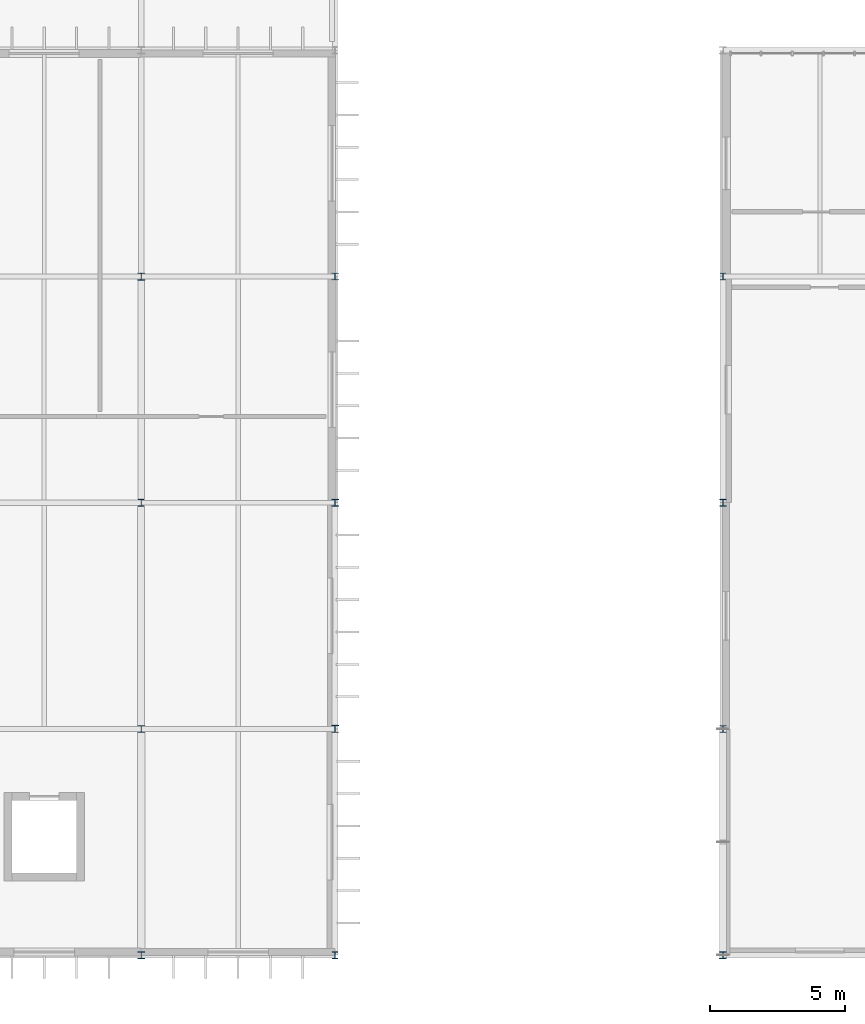
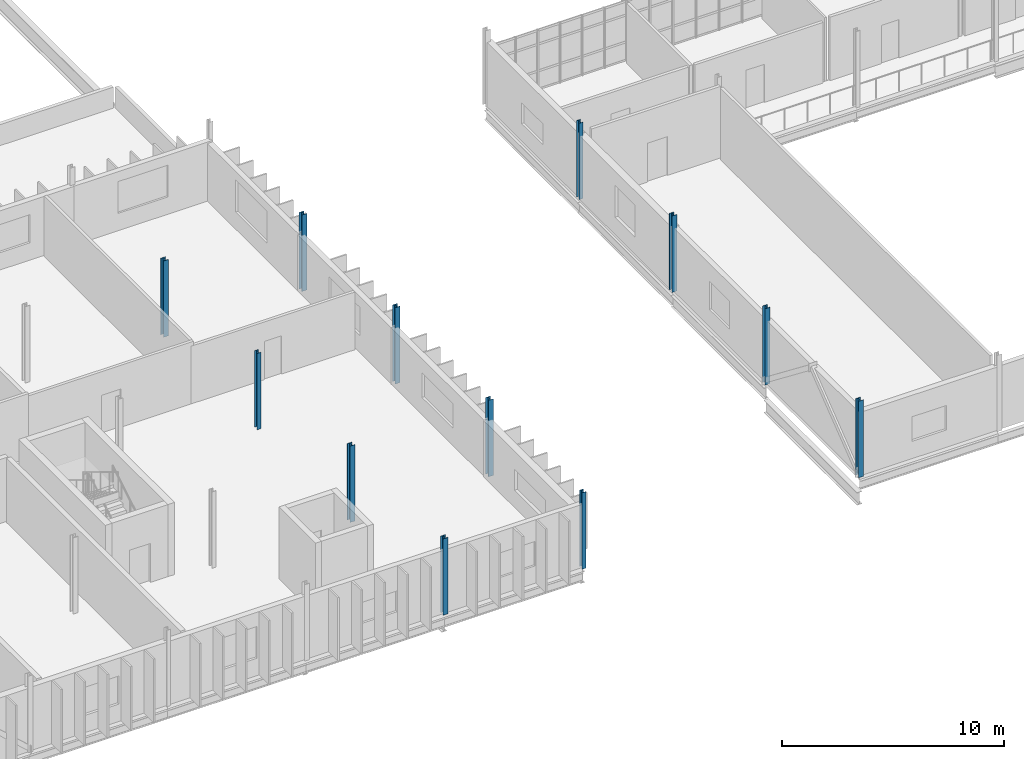
# One storey, part 3 of 119: 12 columns.
"""IFC4 building model written with IfcOpenShell, lengths in metres."""

from ifc_helpers import new_model, si_unit, direction, frame, origin, origin_2d, place, context, subcontext, project, spatial, i_section, extrude, material, material_profile, profile_set, type_object, element, save


model = new_model("IFC4")

# Units and contexts
model_context = context("Model", 3, precision=1e-05, world=origin(), true_north=direction((0.0, 1.0)))
body_context = subcontext(model_context, "Body", "Model", "MODEL_VIEW")
ifc_project = project(units=[si_unit("LENGTHUNIT", "METRE"), si_unit("AREAUNIT", "SQUARE_METRE"), si_unit("VOLUMEUNIT", "CUBIC_METRE"), si_unit("PLANEANGLEUNIT", "RADIAN"), si_unit("MASSUNIT", "GRAM", prefix="KILO")], contexts=[model_context])

# Site, building, storey
site_placement = place(None, origin())
site = spatial("IfcSite", under=ifc_project, at=site_placement, CompositionType="ELEMENT")
building_placement = place(site_placement, origin())
building = spatial("IfcBuilding", under=site, at=building_placement, Name="Qelthora Terrace Specialist Clinic", CompositionType="ELEMENT")
storey_placement = place(building_placement, frame((0.0, 0.0, 4.800048828125)))
storey = spatial("IfcBuildingStorey", under=building, at=storey_placement, Name="L01", CompositionType="ELEMENT", Elevation=4.800048828125)

# Columns
ifc_material = material(Name="Steel S355", Category="steel")
ifc_material_profile_1 = material_profile(ifc_material, i_section(OverallWidth=0.2041015625, OverallDepth=0.257080078125, WebThickness=0.0087890625, FlangeThickness=0.015625, FilletRadius=0.012939453125, at=origin_2d()), Name="W250X67")
ifc_profile_set_1 = profile_set([ifc_material_profile_1], Name="Steel S355")
column_type_1 = type_object("IfcColumnType", Name="COL-W250X67", PredefinedType="COLUMN", material=ifc_profile_set_1)
for number, where, z_axis, x_axis, name in (
    (1, (36.0, 16.800048828125, 0.0), (0.0, 0.0, 1.0), (1.0, 0.0, 0.0), "Column L01-067"),
    (2, (43.199951171875, 0.0, 0.0), (0.0, 0.0, 1.0), (1.0, 0.0, 0.0), "Column L01-079"),
    (3, (57.60009765625, 25.199951171875, 0.0), (0.0, 0.0, 1.0), (1.0, 0.0, 0.0), "Column L01-107"),
):
    element("IfcColumn", number, at=place(storey_placement, frame(where, z_axis=z_axis, x_axis=x_axis)), inside=storey, type_object=column_type_1, Name=name, PredefinedType="COLUMN", context=body_context, shape_type="SweptSolid", body=[
        extrude(i_section(OverallWidth=0.2041015625, OverallDepth=0.257080078125, WebThickness=0.0087890625, FlangeThickness=0.015625, FilletRadius=0.012939453125, at=origin_2d()), origin(), (0.0, 0.0, 1.0), 4.199951171875),
    ])
ifc_material_profile_2 = material_profile(ifc_material, i_section(OverallWidth=0.25390625, OverallDepth=0.2529296875, WebThickness=0.008544921875, FlangeThickness=0.01416015625, FilletRadius=0.012939453125, at=origin_2d()), Name="W250X73")
ifc_profile_set_2 = profile_set([ifc_material_profile_2], Name="Steel S355")
column_type_2 = type_object("IfcColumnType", Name="COL-W250X73", PredefinedType="COLUMN", material=ifc_profile_set_2)
for number, where, z_axis, x_axis, name in (
    (4, (36.0, 8.39990234375, 0.0), (0.0, 0.0, 1.0), (1.0, 0.0, 0.0), "Column L01-066"),
    (5, (43.199951171875, 25.199951171875, 0.0), (0.0, 0.0, 1.0), (1.0, 0.0, 0.0), "Column L01-082"),
    (6, (57.60009765625, 16.800048828125, 0.0), (0.0, 0.0, 1.0), (1.0, 0.0, 0.0), "Column L01-106"),
):
    element("IfcColumn", number, at=place(storey_placement, frame(where, z_axis=z_axis, x_axis=x_axis)), inside=storey, type_object=column_type_2, Name=name, PredefinedType="COLUMN", context=body_context, shape_type="SweptSolid", body=[
        extrude(i_section(OverallWidth=0.25390625, OverallDepth=0.2529296875, WebThickness=0.008544921875, FlangeThickness=0.01416015625, FilletRadius=0.012939453125, at=origin_2d()), origin(), (0.0, 0.0, 1.0), 4.199951171875),
    ])
ifc_material_profile_3 = material_profile(ifc_material, i_section(OverallWidth=0.2548828125, OverallDepth=0.256103515625, WebThickness=0.009521484375, FlangeThickness=0.015625, FilletRadius=0.012939453125, at=origin_2d()), Name="W250X80")
ifc_profile_set_3 = profile_set([ifc_material_profile_3], Name="Steel S355")
column_type_3 = type_object("IfcColumnType", Name="COL-W250X80", PredefinedType="COLUMN", material=ifc_profile_set_3)
for number, where, z_axis, x_axis, name in (
    (7, (36.0, 0.0, 0.0), (0.0, 0.0, 1.0), (1.0, 0.0, 0.0), "Column L01-065"),
    (8, (43.199951171875, 16.800048828125, 0.0), (0.0, 0.0, 1.0), (1.0, 0.0, 0.0), "Column L01-081"),
    (9, (57.60009765625, 8.39990234375, 0.0), (0.0, 0.0, 1.0), (1.0, 0.0, 0.0), "Column L01-105"),
):
    element("IfcColumn", number, at=place(storey_placement, frame(where, z_axis=z_axis, x_axis=x_axis)), inside=storey, type_object=column_type_3, Name=name, PredefinedType="COLUMN", context=body_context, shape_type="SweptSolid", body=[
        extrude(i_section(OverallWidth=0.2548828125, OverallDepth=0.256103515625, WebThickness=0.009521484375, FlangeThickness=0.015625, FilletRadius=0.012939453125, at=origin_2d()), origin(), (0.0, 0.0, 1.0), 4.199951171875),
    ])
ifc_material_profile_4 = material_profile(ifc_material, i_section(OverallWidth=0.256103515625, OverallDepth=0.260009765625, WebThickness=0.0107421875, FlangeThickness=0.017333984375, FilletRadius=0.012939453125, at=origin_2d()), Name="W250X89")
ifc_profile_set_4 = profile_set([ifc_material_profile_4], Name="Steel S355")
column_type_4 = type_object("IfcColumnType", Name="COL-W250X89", PredefinedType="COLUMN", material=ifc_profile_set_4)
for number, where, z_axis, x_axis, name in (
    (10, (36.0, 25.199951171875, 0.0), (0.0, 0.0, 1.0), (1.0, 0.0, 0.0), "Column L01-068"),
    (11, (43.199951171875, 8.39990234375, 0.0), (0.0, 0.0, 1.0), (1.0, 0.0, 0.0), "Column L01-080"),
    (12, (57.60009765625, 0.0, 0.0), (0.0, 0.0, 1.0), (1.0, 0.0, 0.0), "Column L01-104"),
):
    element("IfcColumn", number, at=place(storey_placement, frame(where, z_axis=z_axis, x_axis=x_axis)), inside=storey, type_object=column_type_4, Name=name, PredefinedType="COLUMN", context=body_context, shape_type="SweptSolid", body=[
        extrude(i_section(OverallWidth=0.256103515625, OverallDepth=0.260009765625, WebThickness=0.0107421875, FlangeThickness=0.017333984375, FilletRadius=0.012939453125, at=origin_2d()), origin(), (0.0, 0.0, 1.0), 4.199951171875),
    ])

save(model, "model.ifc")
